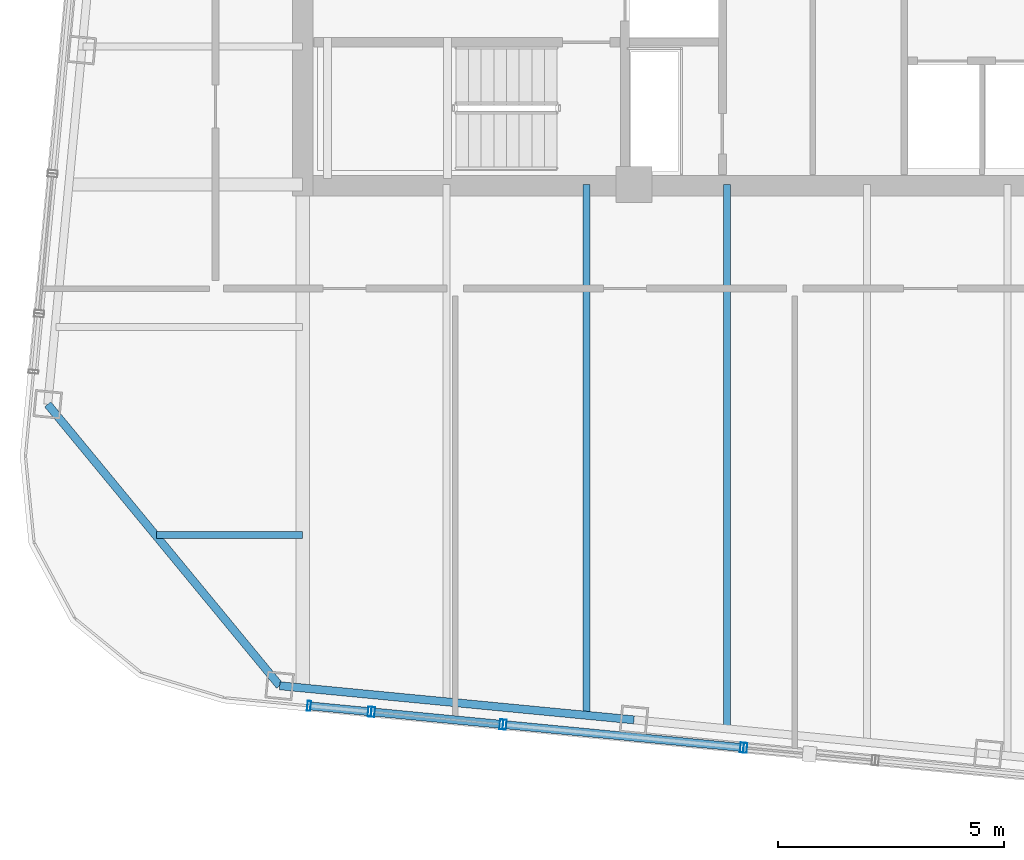
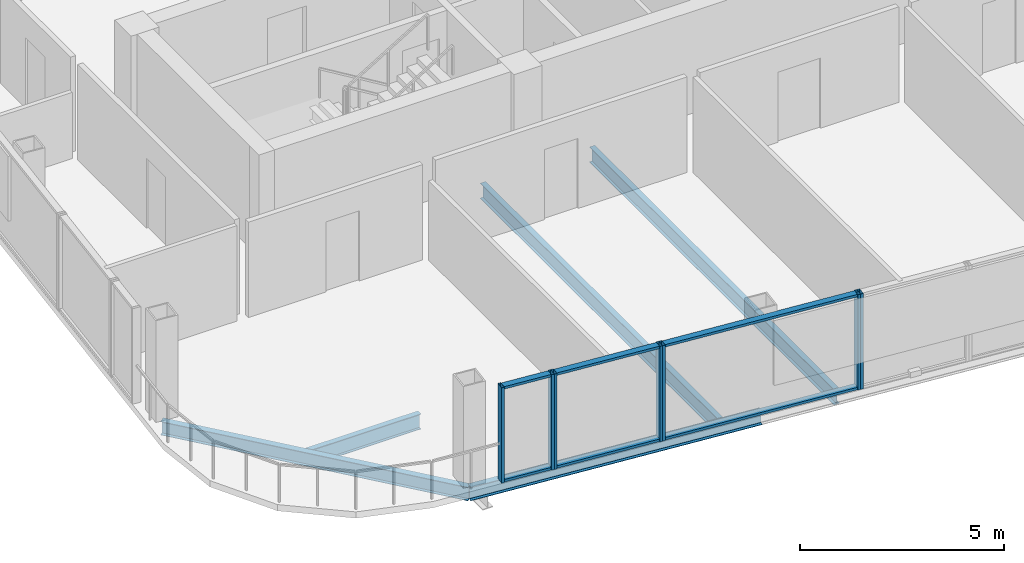
# One storey, part 2 of 23: 13 members, 5 beams, 4 elements without a shape of their own.
"""IFC4 building model written with IfcOpenShell, lengths in metres."""

from ifc_helpers import new_model, si_unit, direction, frame, origin, origin_2d, place, context, subcontext, project, spatial, hollow_rectangle, i_section, extrude, material, layer, layer_set, material_profile, profile_set, type_object, element, aggregate, save


model = new_model("IFC4")

# Units and contexts
model_context = context("Model", 3, precision=1e-05, world=origin(), true_north=direction((0.0, 1.0)))
body_context = subcontext(model_context, "Body", "Model", "MODEL_VIEW")
ifc_project = project(units=[si_unit("LENGTHUNIT", "METRE"), si_unit("AREAUNIT", "SQUARE_METRE"), si_unit("VOLUMEUNIT", "CUBIC_METRE"), si_unit("PLANEANGLEUNIT", "RADIAN"), si_unit("MASSUNIT", "GRAM", prefix="KILO")], contexts=[model_context])

# Site, building, storey
site_placement = place(None, origin())
site = spatial("IfcSite", under=ifc_project, at=site_placement, CompositionType="ELEMENT")
building_placement = place(site_placement, origin())
building = spatial("IfcBuilding", under=site, at=building_placement, Name="Qhalaya Broadcast Tower", CompositionType="ELEMENT")
storey_placement = place(building_placement, frame((0.0, 0.0, 261.14990234375)))
storey = spatial("IfcBuildingStorey", under=building, at=storey_placement, Name="L77", CompositionType="ELEMENT", Elevation=261.14990234375)

# Beams
ifc_material_1 = material(Name="Structural Steel ASTM A992 Grade 50", Category="steel")
ifc_material_profile_1 = material_profile(ifc_material_1, i_section(OverallWidth=0.154052734375, OverallDepth=0.458984375, WebThickness=0.009033203125, FlangeThickness=0.015380859375, at=origin_2d()), Name="W18X46")
ifc_profile_set_1 = profile_set([ifc_material_profile_1], Name="Structural Steel ASTM A992 Grade 50")
beam_type_1 = type_object("IfcBeamType", Name="Composite Floor Joist J04", PredefinedType="JOIST", material=ifc_profile_set_1)
beam_1_placement = place(storey_placement, frame((-3.10009765625, -20.46142578125, -0.41943359375), z_axis=(0.0, 1.0, 0.0), x_axis=(-1.0, 0.0, 0.0)))
element("IfcBeam", 1, at=beam_1_placement, inside=storey, type_object=beam_type_1, Name="L77 J04 L77-JNS2-1", PredefinedType="JOIST", context=body_context, shape_type="SweptSolid", body=[
    extrude(i_section(OverallWidth=0.154052734375, OverallDepth=0.458984375, WebThickness=0.009033203125, FlangeThickness=0.015380859375, at=origin_2d()), origin(), (0.0, 0.0, 1.0), 11.71142578125),
])
beam_2_placement = place(storey_placement, frame((0.0, -20.760009765625, -0.41943359375), z_axis=(0.0, 1.0, 0.0), x_axis=(-1.0, 0.0, 0.0)))
element("IfcBeam", 2, at=beam_2_placement, inside=storey, type_object=beam_type_1, Name="L77 J04 L77-JNS3-1", PredefinedType="JOIST", context=body_context, shape_type="SweptSolid", body=[
    extrude(i_section(OverallWidth=0.154052734375, OverallDepth=0.458984375, WebThickness=0.009033203125, FlangeThickness=0.015380859375, at=origin_2d()), origin(), (0.0, 0.0, 1.0), 12.010009765625),
])
beam_3_placement = place(storey_placement, frame((-12.600830078125, -16.5, -0.41943359375), z_axis=(1.0, 0.0, 0.0), x_axis=(0.0, 1.0, 0.0)))
element("IfcBeam", 3, at=beam_3_placement, inside=storey, type_object=beam_type_1, Name="L77 J04 L77-JWE1W-1", PredefinedType="JOIST", context=body_context, shape_type="SweptSolid", body=[
    extrude(i_section(OverallWidth=0.154052734375, OverallDepth=0.458984375, WebThickness=0.009033203125, FlangeThickness=0.015380859375, at=origin_2d()), origin(), (0.0, 0.0, 1.0), 3.225830078125),
])

# Curtain wall, members
ifc_material_2 = material(Name="Fired Architectural Terracotta", Category="masonry")
ifc_layer_1 = layer(ifc_material_2, 0.219970703125, Name="Fired Architectural Terracotta")
ifc_layer_set_1 = layer_set([ifc_layer_1], Name="Fired Architectural Terracotta")
curtain_wall_type_1 = type_object("IfcCurtainWallType", Name="Block-Cap Unitised Terracotta Spandrel Wall CW-07", PredefinedType="NOTDEFINED", material=ifc_layer_set_1)
curtain_wall_1_placement = place(storey_placement, origin())
curtain_wall_1 = element("IfcCurtainWall", 4, at=curtain_wall_1_placement, inside=storey, type_object=curtain_wall_type_1, Name="L77 Unitised Curtain Wall L77-CW-S1", PredefinedType="NOTDEFINED")
ifc_material_3 = material(Name="Anodised Aluminium 6063-T6", Category="aluminium")
ifc_material_profile_2 = material_profile(ifc_material_3, hollow_rectangle(XDim=0.074951171875, YDim=0.219970703125, WallThickness=0.00390625, at=origin_2d()), Name="ALU-MUL 75x220x4")
ifc_profile_set_2 = profile_set([ifc_material_profile_2], Name="Anodised Aluminium 6063-T6")
member_type_1 = type_object("IfcMemberType", Name="Unitised Curtain-Wall Mullion M01", PredefinedType="MULLION", material=ifc_profile_set_2)
member_1_placement = place(storey_placement, frame((-9.235107421875, -20.272705078125, 0.0), z_axis=(0.0, 0.0, 1.0), x_axis=(0.995396007008, -0.095847739846, 0.0)))
member_1 = element("IfcMember", 5, at=member_1_placement, type_object=member_type_1, Name="CW-07 mullion 1", PredefinedType="MULLION", context=body_context, shape_type="SweptSolid", body=[
    extrude(hollow_rectangle(XDim=0.074951171875, YDim=0.219970703125, WallThickness=0.00390625, at=origin_2d()), origin(), (0.0, 0.0, 1.0), 2.860107421875),
])
member_2_placement = place(storey_placement, frame((-7.894287109375, -20.401611328125, 0.0), z_axis=(0.0, 0.0, 1.0), x_axis=(0.995396007008, -0.095847739846, 0.0)))
member_2 = element("IfcMember", 6, at=member_2_placement, type_object=member_type_1, Name="CW-07 mullion 2", PredefinedType="MULLION", context=body_context, shape_type="SweptSolid", body=[
    extrude(hollow_rectangle(XDim=0.074951171875, YDim=0.219970703125, WallThickness=0.00390625, at=origin_2d()), origin(), (0.0, 0.0, 1.0), 2.860107421875),
])

ifc_material_4 = material(Name="Solar-Control Low-E Triple Glazing", Category="glass")
ifc_layer_2 = layer(ifc_material_4, 0.219970703125, Name="Solar-Control Low-E Triple Glazing")
ifc_layer_set_2 = layer_set([ifc_layer_2], Name="Solar-Control Low-E Triple Glazing")
curtain_wall_type_2 = type_object("IfcCurtainWallType", Name="High-Altitude Upper-Shaft Triple Low-E Curtain Wall CW-04", PredefinedType="NOTDEFINED", material=ifc_layer_set_2)
curtain_wall_2_placement = place(storey_placement, origin())
curtain_wall_2 = element("IfcCurtainWall", 7, at=curtain_wall_2_placement, inside=storey, type_object=curtain_wall_type_2, Name="L77 Unitised Curtain Wall L77-CW-S2", PredefinedType="NOTDEFINED")
member_3_placement = place(storey_placement, frame((-7.819580078125, -20.408935546875, 0.0), z_axis=(0.0, 0.0, 1.0), x_axis=(0.99539466371, -0.095861689211, 0.0)))
member_3 = element("IfcMember", 8, at=member_3_placement, type_object=member_type_1, Name="CW-04 mullion 1", PredefinedType="MULLION", context=body_context, shape_type="SweptSolid", body=[
    extrude(hollow_rectangle(XDim=0.074951171875, YDim=0.219970703125, WallThickness=0.00390625, at=origin_2d()), origin(), (0.0, 0.0, 1.0), 2.860107421875),
])
member_4_placement = place(storey_placement, frame((-4.984619140625, -20.681884765625, 0.0), z_axis=(0.0, 0.0, 1.0), x_axis=(0.99539466371, -0.095861689211, 0.0)))
member_4 = element("IfcMember", 9, at=member_4_placement, type_object=member_type_1, Name="CW-04 mullion 2", PredefinedType="MULLION", context=body_context, shape_type="SweptSolid", body=[
    extrude(hollow_rectangle(XDim=0.074951171875, YDim=0.219970703125, WallThickness=0.00390625, at=origin_2d()), origin(), (0.0, 0.0, 1.0), 2.860107421875),
])

curtain_wall_3_placement = place(storey_placement, origin())
curtain_wall_3 = element("IfcCurtainWall", 10, at=curtain_wall_3_placement, inside=storey, type_object=curtain_wall_type_1, Name="L77 Unitised Curtain Wall L77-CW-S3", PredefinedType="NOTDEFINED")
member_5_placement = place(storey_placement, frame((-4.91015625, -20.689208984375, 0.0), z_axis=(0.0, 0.0, 1.0), x_axis=(0.995396263968, -0.095845071223, 0.0)))
member_5 = element("IfcMember", 11, at=member_5_placement, type_object=member_type_1, Name="CW-07 mullion 1", PredefinedType="MULLION", context=body_context, shape_type="SweptSolid", body=[
    extrude(hollow_rectangle(XDim=0.074951171875, YDim=0.219970703125, WallThickness=0.00390625, at=origin_2d()), origin(), (0.0, 0.0, 1.0), 2.860107421875),
])
member_6_placement = place(storey_placement, frame((0.333740234375, -21.194091796875, 0.0), z_axis=(0.0, 0.0, 1.0), x_axis=(0.995396263968, -0.095845071223, 0.0)))
member_6 = element("IfcMember", 12, at=member_6_placement, type_object=member_type_1, Name="CW-07 mullion 2", PredefinedType="MULLION", context=body_context, shape_type="SweptSolid", body=[
    extrude(hollow_rectangle(XDim=0.074951171875, YDim=0.219970703125, WallThickness=0.00390625, at=origin_2d()), origin(), (0.0, 0.0, 1.0), 2.860107421875),
])

# Curtain wall, member
curtain_wall_4_placement = place(storey_placement, origin())
curtain_wall_4 = element("IfcCurtainWall", 13, at=curtain_wall_4_placement, inside=storey, type_object=curtain_wall_type_2, Name="L77 Unitised Curtain Wall L77-CW-S4", PredefinedType="NOTDEFINED")
member_7_placement = place(storey_placement, frame((0.408447265625, -21.201171875, 0.0), z_axis=(0.0, 0.0, 1.0), x_axis=(0.995397805992, -0.095829055234, 0.0)))
member_7 = element("IfcMember", 14, at=member_7_placement, type_object=member_type_1, Name="CW-04 mullion 1", PredefinedType="MULLION", context=body_context, shape_type="SweptSolid", body=[
    extrude(hollow_rectangle(XDim=0.074951171875, YDim=0.219970703125, WallThickness=0.00390625, at=origin_2d()), origin(), (0.0, 0.0, 1.0), 2.860107421875),
])
aggregate(curtain_wall_4, [member_7])

# Member
ifc_material_profile_3 = material_profile(ifc_material_3, hollow_rectangle(XDim=0.074951171875, YDim=0.179931640625, WallThickness=0.00390625, at=origin_2d()), Name="ALU-TRN 75x180x4")
ifc_profile_set_3 = profile_set([ifc_material_profile_3], Name="Anodised Aluminium 6063-T6")
member_type_2 = type_object("IfcMemberType", Name="Unitised Curtain-Wall Transom T01", PredefinedType="USERDEFINED", material=ifc_profile_set_3)
member_8_placement = place(storey_placement, frame((-9.19775390625, -20.276123046875, 0.03759765625), z_axis=(0.995384379876, -0.095968413023, 0.0), x_axis=(0.0, 0.0, 1.0)))
member_8 = element("IfcMember", 15, at=member_8_placement, type_object=member_type_2, Name="CW-07 transom 1.1", ObjectType="TRANSOM", PredefinedType="USERDEFINED", context=body_context, shape_type="SweptSolid", body=[
    extrude(hollow_rectangle(XDim=0.074951171875, YDim=0.179931640625, WallThickness=0.00390625, at=origin_2d()), origin(), (0.0, 0.0, 1.0), 1.27197265625),
])

member_9_placement = place(storey_placement, frame((-9.19775390625, -20.276123046875, 2.822509765625), z_axis=(0.995384379876, -0.095968413023, 0.0), x_axis=(0.0, 0.0, 1.0)))
member_9 = element("IfcMember", 16, at=member_9_placement, type_object=member_type_2, Name="CW-07 transom 1.2", ObjectType="TRANSOM", PredefinedType="USERDEFINED", context=body_context, shape_type="SweptSolid", body=[
    extrude(hollow_rectangle(XDim=0.074951171875, YDim=0.179931640625, WallThickness=0.00390625, at=origin_2d()), origin(), (0.0, 0.0, 1.0), 1.27197265625),
])

aggregate(curtain_wall_1, [member_1, member_2, member_8, member_9])

member_10_placement = place(storey_placement, frame((-7.7822265625, -20.41259765625, 0.03759765625), z_axis=(0.995401605942, -0.095789576089, 0.0), x_axis=(0.0, 0.0, 1.0)))
member_10 = element("IfcMember", 17, at=member_10_placement, type_object=member_type_2, Name="CW-04 transom 1.1", ObjectType="TRANSOM", PredefinedType="USERDEFINED", context=body_context, shape_type="SweptSolid", body=[
    extrude(hollow_rectangle(XDim=0.074951171875, YDim=0.179931640625, WallThickness=0.00390625, at=origin_2d()), origin(), (0.0, 0.0, 1.0), 2.77294921875),
])

member_11_placement = place(storey_placement, frame((-7.7822265625, -20.41259765625, 2.822509765625), z_axis=(0.995401605942, -0.095789576089, 0.0), x_axis=(0.0, 0.0, 1.0)))
member_11 = element("IfcMember", 18, at=member_11_placement, type_object=member_type_2, Name="CW-04 transom 1.2", ObjectType="TRANSOM", PredefinedType="USERDEFINED", context=body_context, shape_type="SweptSolid", body=[
    extrude(hollow_rectangle(XDim=0.074951171875, YDim=0.179931640625, WallThickness=0.00390625, at=origin_2d()), origin(), (0.0, 0.0, 1.0), 2.77294921875),
])

aggregate(curtain_wall_2, [member_3, member_4, member_10, member_11])

member_12_placement = place(storey_placement, frame((-4.872802734375, -20.692626953125, 0.03759765625), z_axis=(0.99539497839, -0.095858421619, 0.0), x_axis=(0.0, 0.0, 1.0)))
member_12 = element("IfcMember", 19, at=member_12_placement, type_object=member_type_2, Name="CW-07 transom 1.1", ObjectType="TRANSOM", PredefinedType="USERDEFINED", context=body_context, shape_type="SweptSolid", body=[
    extrude(hollow_rectangle(XDim=0.074951171875, YDim=0.179931640625, WallThickness=0.00390625, at=origin_2d()), origin(), (0.0, 0.0, 1.0), 5.193115234375),
])

member_13_placement = place(storey_placement, frame((-4.872802734375, -20.692626953125, 2.822509765625), z_axis=(0.99539497839, -0.095858421619, 0.0), x_axis=(0.0, 0.0, 1.0)))
member_13 = element("IfcMember", 20, at=member_13_placement, type_object=member_type_2, Name="CW-07 transom 1.2", ObjectType="TRANSOM", PredefinedType="USERDEFINED", context=body_context, shape_type="SweptSolid", body=[
    extrude(hollow_rectangle(XDim=0.074951171875, YDim=0.179931640625, WallThickness=0.00390625, at=origin_2d()), origin(), (0.0, 0.0, 1.0), 5.193115234375),
])

aggregate(curtain_wall_3, [member_5, member_6, member_12, member_13])

# Beams
ifc_material_profile_4 = material_profile(ifc_material_1, i_section(OverallWidth=0.177978515625, OverallDepth=0.406005859375, WebThickness=0.0078125, FlangeThickness=0.0126953125, at=origin_2d()), Name="W16X40")
ifc_profile_set_4 = profile_set([ifc_material_profile_4], Name="Structural Steel ASTM A992 Grade 50")
beam_type_2 = type_object("IfcBeamType", Name="Upper Perimeter Spandrel Beam SP2", PredefinedType="SPANDREL", material=ifc_profile_set_4)
beam_4_placement = place(storey_placement, frame((-9.883056640625, -19.82861328125, -0.392822265625), z_axis=(0.995397308407, -0.095834223619, 0.0), x_axis=(0.095834223619, 0.995397308407, 0.0)))
element("IfcBeam", 21, at=beam_4_placement, inside=storey, type_object=beam_type_2, Name="L77 SP2 L77-SPR-01", PredefinedType="SPANDREL", context=body_context, shape_type="SweptSolid", body=[
    extrude(i_section(OverallWidth=0.177978515625, OverallDepth=0.406005859375, WebThickness=0.0078125, FlangeThickness=0.0126953125, at=origin_2d()), origin(), (0.0, 0.0, 1.0), 7.86669921875),
])
beam_5_placement = place(storey_placement, frame((-15.010498046875, -13.6083984375, -0.392822265625), z_axis=(0.636070241972, -0.771631160126, 0.0), x_axis=(0.771631160126, 0.636070241972, 0.0)))
element("IfcBeam", 22, at=beam_5_placement, inside=storey, type_object=beam_type_2, Name="L77 SP2 L77-SPR-16", PredefinedType="SPANDREL", context=body_context, shape_type="SweptSolid", body=[
    extrude(i_section(OverallWidth=0.177978515625, OverallDepth=0.406005859375, WebThickness=0.0078125, FlangeThickness=0.0126953125, at=origin_2d()), origin(), (0.0, 0.0, 1.0), 8.06103515625),
])

save(model, "model.ifc")
